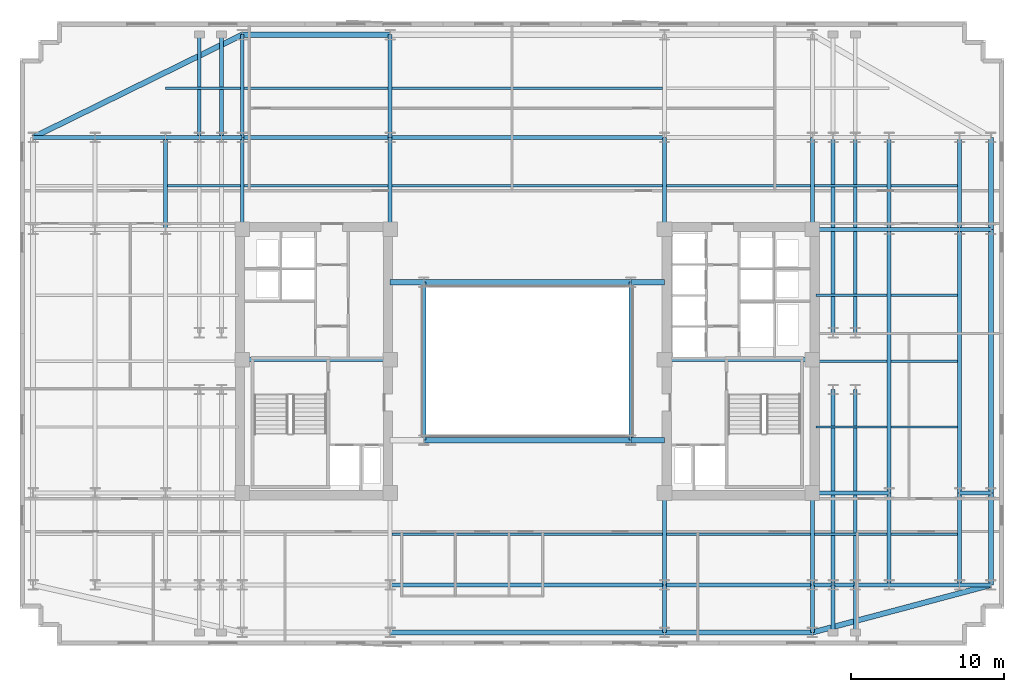
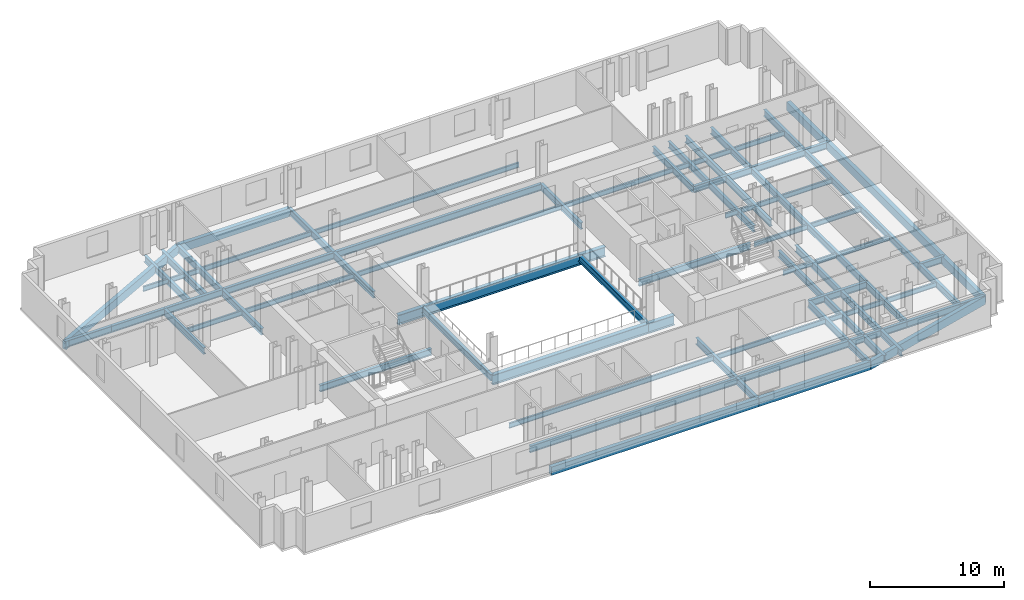
# One storey, part 2 of 10: 76 beams.
"""IFC4 building model written with IfcOpenShell, lengths in metres."""

from ifc_helpers import new_model, si_unit, direction, frame, origin, origin_2d, place, context, subcontext, project, spatial, rectangle, i_section, extrude, material, material_profile, profile_set, type_object, element, save


model = new_model("IFC4")

# Units and contexts
model_context = context("Model", 3, precision=1e-05, world=origin(), true_north=direction((0.0, 1.0)))
body_context = subcontext(model_context, "Body", "Model", "MODEL_VIEW")
ifc_project = project(units=[si_unit("LENGTHUNIT", "METRE"), si_unit("AREAUNIT", "SQUARE_METRE"), si_unit("VOLUMEUNIT", "CUBIC_METRE"), si_unit("PLANEANGLEUNIT", "RADIAN"), si_unit("MASSUNIT", "GRAM", prefix="KILO")], contexts=[model_context])

# Site, building, storey
site_placement = place(None, origin())
site = spatial("IfcSite", under=ifc_project, at=site_placement, CompositionType="ELEMENT")
building_placement = place(site_placement, origin())
building = spatial("IfcBuilding", under=site, at=building_placement, Name="Velakula Bourse", CompositionType="ELEMENT")
storey_placement = place(building_placement, frame((0.0, 0.0, 145.0)))
storey = spatial("IfcBuildingStorey", under=building, at=storey_placement, Name="L39", CompositionType="ELEMENT", Elevation=145.0)

# Beams
ifc_material_1 = material(Name="Steel IS 2062 Grade 350 (E350)", Category="steel")
ifc_material_profile_1 = material_profile(ifc_material_1, i_section(OverallWidth=0.25, OverallDepth=0.60009765625, WebThickness=0.01123046875, FlangeThickness=0.021240234375, at=origin_2d()), Name="Steel IS 2062 Grade 350 (E350)")
ifc_profile_set_1 = profile_set([ifc_material_profile_1], Name="Steel IS 2062 Grade 350 (E350)")
beam_type_1 = type_object("IfcBeamType", Name="BM-GRD-600M", PredefinedType="BEAM", material=ifc_profile_set_1)
for number, where, z_axis, x_axis, name in (
    (1, (-18.60009765625, 0.10009765625, -0.47998046875), (1.0, 0.0, 0.0), (0.0, 1.0, 0.0), "L39 Primary Backbone Girder CRW-M"),
    (2, (8.949951171875, 0.10009765625, -0.47998046875), (1.0, 0.0, 0.0), (0.0, 1.0, 0.0), "L39 Primary Backbone Girder CRE-M"),
):
    element("IfcBeam", number, at=place(storey_placement, frame(where, z_axis=z_axis, x_axis=x_axis)), inside=storey, type_object=beam_type_1, Name=name, PredefinedType="BEAM", context=body_context, shape_type="SweptSolid", body=[
        extrude(i_section(OverallWidth=0.25, OverallDepth=0.60009765625, WebThickness=0.01123046875, FlangeThickness=0.021240234375, at=origin_2d()), origin(), (0.0, 0.0, 1.0), 9.650146484375),
    ])
for number, where, z_axis, x_axis, name in (
    (3, (-6.75, -5.14990234375, -0.47998046875), (0.0, 1.0, 0.0), (-1.0, 0.0, 0.0), "L39 Primary Backbone Girder SPN-W"),
    (4, (6.75, -5.14990234375, -0.47998046875), (0.0, 1.0, 0.0), (-1.0, 0.0, 0.0), "L39 Primary Backbone Girder SPN-E"),
):
    element("IfcBeam", number, at=place(storey_placement, frame(where, z_axis=z_axis, x_axis=x_axis)), inside=storey, type_object=beam_type_1, Name=name, PredefinedType="BEAM", context=body_context, shape_type="SweptSolid", body=[
        extrude(i_section(OverallWidth=0.25, OverallDepth=0.60009765625, WebThickness=0.01123046875, FlangeThickness=0.021240234375, at=origin_2d()), origin(), (0.0, 0.0, 1.0), 10.2998046875),
    ])
for number, where, z_axis, x_axis, name in (
    (5, (-18.60009765625, 8.60009765625, -0.47998046875), (0.0, 1.0, 0.0), (-1.0, 0.0, 0.0), "L39 Fulcrum Grid Girder FLC-WN"),
    (6, (-8.949951171875, 8.60009765625, -0.47998046875), (0.0, 1.0, 0.0), (-1.0, 0.0, 0.0), "L39 Fulcrum Grid Girder FLC-WCN"),
    (7, (8.949951171875, -14.60009765625, -0.47998046875), (0.0, 1.0, 0.0), (-1.0, 0.0, 0.0), "L39 Fulcrum Grid Girder FLC-ECS"),
    (8, (8.949951171875, 8.60009765625, -0.47998046875), (0.0, 1.0, 0.0), (-1.0, 0.0, 0.0), "L39 Fulcrum Grid Girder FLC-ECN"),
    (9, (18.60009765625, -14.60009765625, -0.47998046875), (0.0, 1.0, 0.0), (-1.0, 0.0, 0.0), "L39 Fulcrum Grid Girder FLC-ES"),
    (10, (18.60009765625, 8.60009765625, -0.47998046875), (0.0, 1.0, 0.0), (-1.0, 0.0, 0.0), "L39 Fulcrum Grid Girder FLC-EN"),
):
    element("IfcBeam", number, at=place(storey_placement, frame(where, z_axis=z_axis, x_axis=x_axis)), inside=storey, type_object=beam_type_1, Name=name, PredefinedType="BEAM", context=body_context, shape_type="SweptSolid", body=[
        extrude(i_section(OverallWidth=0.25, OverallDepth=0.60009765625, WebThickness=0.01123046875, FlangeThickness=0.021240234375, at=origin_2d()), origin(), (0.0, 0.0, 1.0), 6.0),
    ])
beam_1_placement = place(storey_placement, frame((-8.949951171875, -14.60009765625, -0.47998046875), z_axis=(1.0, 0.0, 0.0), x_axis=(0.0, 1.0, 0.0)))
element("IfcBeam", 11, at=beam_1_placement, inside=storey, type_object=beam_type_1, Name="L39 Fulcrum Grid Girder FLC-S2", PredefinedType="BEAM", context=body_context, shape_type="SweptSolid", body=[
    extrude(i_section(OverallWidth=0.25, OverallDepth=0.60009765625, WebThickness=0.01123046875, FlangeThickness=0.021240234375, at=origin_2d()), origin(), (0.0, 0.0, 1.0), 17.89990234375),
])
for number, where, z_axis, x_axis, name in (
    (12, (8.949951171875, -14.60009765625, -0.47998046875), (1.0, 0.0, 0.0), (0.0, 1.0, 0.0), "L39 Fulcrum Grid Girder FLC-S3"),
    (13, (-18.60009765625, 14.60009765625, -0.47998046875), (1.0, 0.0, 0.0), (0.0, 1.0, 0.0), "L39 Fulcrum Grid Girder FLC-N1"),
):
    element("IfcBeam", number, at=place(storey_placement, frame(where, z_axis=z_axis, x_axis=x_axis)), inside=storey, type_object=beam_type_1, Name=name, PredefinedType="BEAM", context=body_context, shape_type="SweptSolid", body=[
        extrude(i_section(OverallWidth=0.25, OverallDepth=0.60009765625, WebThickness=0.01123046875, FlangeThickness=0.021240234375, at=origin_2d()), origin(), (0.0, 0.0, 1.0), 9.650146484375),
    ])
beam_2_placement = place(storey_placement, frame((-8.949951171875, 14.60009765625, -0.47998046875), z_axis=(1.0, 0.0, 0.0), x_axis=(0.0, 1.0, 0.0)))
element("IfcBeam", 14, at=beam_2_placement, inside=storey, type_object=beam_type_1, Name="L39 Fulcrum Grid Girder FLC-N2", PredefinedType="BEAM", context=body_context, shape_type="SweptSolid", body=[
    extrude(i_section(OverallWidth=0.25, OverallDepth=0.60009765625, WebThickness=0.01123046875, FlangeThickness=0.021240234375, at=origin_2d()), origin(), (0.0, 0.0, 1.0), 17.89990234375),
])
for number, where, z_axis, x_axis, name in (
    (15, (19.949951171875, -14.60009765625, -0.47998046875), (0.0, 1.0, 0.0), (-1.0, 0.0, 0.0), "L39 Fulcrum Grid Girder FLC-PSE1"),
    (16, (19.949951171875, 1.85009765625, -0.47998046875), (0.0, 1.0, 0.0), (-1.0, 0.0, 0.0), "L39 Fulcrum Grid Girder FLC-PNE1"),
    (17, (21.39990234375, -14.60009765625, -0.47998046875), (0.0, 1.0, 0.0), (-1.0, 0.0, 0.0), "L39 Fulcrum Grid Girder FLC-PSE2"),
    (18, (21.39990234375, 1.85009765625, -0.47998046875), (0.0, 1.0, 0.0), (-1.0, 0.0, 0.0), "L39 Fulcrum Grid Girder FLC-PNE2"),
):
    element("IfcBeam", number, at=place(storey_placement, frame(where, z_axis=z_axis, x_axis=x_axis)), inside=storey, type_object=beam_type_1, Name=name, PredefinedType="BEAM", context=body_context, shape_type="SweptSolid", body=[
        extrude(i_section(OverallWidth=0.25, OverallDepth=0.60009765625, WebThickness=0.01123046875, FlangeThickness=0.021240234375, at=origin_2d()), origin(), (0.0, 0.0, 1.0), 12.75),
    ])
beam_3_placement = place(storey_placement, frame((-23.60009765625, 14.60009765625, -0.47998046875), z_axis=(1.0, 0.0, 0.0), x_axis=(0.0, 1.0, 0.0)))
element("IfcBeam", 19, at=beam_3_placement, inside=storey, type_object=beam_type_1, Name="L39 Fulcrum Grid Girder MWG-WN2", PredefinedType="BEAM", context=body_context, shape_type="SweptSolid", body=[
    extrude(i_section(OverallWidth=0.25, OverallDepth=0.60009765625, WebThickness=0.01123046875, FlangeThickness=0.021240234375, at=origin_2d()), origin(), (0.0, 0.0, 1.0), 5.0),
])
beam_4_placement = place(storey_placement, frame((-23.60009765625, 8.60009765625, -0.47998046875), z_axis=(0.0, 1.0, 0.0), x_axis=(-1.0, 0.0, 0.0)))
element("IfcBeam", 20, at=beam_4_placement, inside=storey, type_object=beam_type_1, Name="L39 Fulcrum Grid Girder MWG-WNS3", PredefinedType="BEAM", context=body_context, shape_type="SweptSolid", body=[
    extrude(i_section(OverallWidth=0.25, OverallDepth=0.60009765625, WebThickness=0.01123046875, FlangeThickness=0.021240234375, at=origin_2d()), origin(), (0.0, 0.0, 1.0), 6.0),
])
for number, where, z_axis, x_axis, name in (
    (21, (18.60009765625, -14.60009765625, -0.47998046875), (1.0, 0.0, 0.0), (0.0, 1.0, 0.0), "L39 Fulcrum Grid Girder MWG-ES1"),
    (22, (18.60009765625, -8.60009765625, -0.47998046875), (1.0, 0.0, 0.0), (0.0, 1.0, 0.0), "L39 Fulcrum Grid Girder MWG-ES2"),
    (23, (18.60009765625, 8.60009765625, -0.47998046875), (1.0, 0.0, 0.0), (0.0, 1.0, 0.0), "L39 Fulcrum Grid Girder MWG-EN1"),
):
    element("IfcBeam", number, at=place(storey_placement, frame(where, z_axis=z_axis, x_axis=x_axis)), inside=storey, type_object=beam_type_1, Name=name, PredefinedType="BEAM", context=body_context, shape_type="SweptSolid", body=[
        extrude(i_section(OverallWidth=0.25, OverallDepth=0.60009765625, WebThickness=0.01123046875, FlangeThickness=0.021240234375, at=origin_2d()), origin(), (0.0, 0.0, 1.0), 5.0),
    ])
beam_5_placement = place(storey_placement, frame((23.60009765625, -14.60009765625, -0.47998046875), z_axis=(0.0, 1.0, 0.0), x_axis=(-1.0, 0.0, 0.0)))
element("IfcBeam", 24, at=beam_5_placement, inside=storey, type_object=beam_type_1, Name="L39 Fulcrum Grid Girder MWG-ENS1", PredefinedType="BEAM", context=body_context, shape_type="SweptSolid", body=[
    extrude(i_section(OverallWidth=0.25, OverallDepth=0.60009765625, WebThickness=0.01123046875, FlangeThickness=0.021240234375, at=origin_2d()), origin(), (0.0, 0.0, 1.0), 6.0),
])
beam_6_placement = place(storey_placement, frame((23.60009765625, -8.60009765625, -0.47998046875), z_axis=(0.0, 1.0, 0.0), x_axis=(-1.0, 0.0, 0.0)))
element("IfcBeam", 25, at=beam_6_placement, inside=storey, type_object=beam_type_1, Name="L39 Fulcrum Grid Girder MWG-ENS2", PredefinedType="BEAM", context=body_context, shape_type="SweptSolid", body=[
    extrude(i_section(OverallWidth=0.25, OverallDepth=0.60009765625, WebThickness=0.01123046875, FlangeThickness=0.021240234375, at=origin_2d()), origin(), (0.0, 0.0, 1.0), 17.2001953125),
])
beam_7_placement = place(storey_placement, frame((23.60009765625, 8.60009765625, -0.47998046875), z_axis=(0.0, 1.0, 0.0), x_axis=(-1.0, 0.0, 0.0)))
element("IfcBeam", 26, at=beam_7_placement, inside=storey, type_object=beam_type_1, Name="L39 Fulcrum Grid Girder MWG-ENS3", PredefinedType="BEAM", context=body_context, shape_type="SweptSolid", body=[
    extrude(i_section(OverallWidth=0.25, OverallDepth=0.60009765625, WebThickness=0.01123046875, FlangeThickness=0.021240234375, at=origin_2d()), origin(), (0.0, 0.0, 1.0), 6.0),
])
for number, where, z_axis, x_axis, name in (
    (27, (-28.199951171875, 14.60009765625, -0.47998046875), (1.0, 0.0, 0.0), (0.0, 1.0, 0.0), "L39 Fulcrum Grid Girder WNG-WN2"),
    (28, (23.60009765625, -14.60009765625, -0.47998046875), (1.0, 0.0, 0.0), (0.0, 1.0, 0.0), "L39 Fulcrum Grid Girder WNG-ES1"),
    (29, (23.60009765625, 8.60009765625, -0.47998046875), (1.0, 0.0, 0.0), (0.0, 1.0, 0.0), "L39 Fulcrum Grid Girder WNG-EN1"),
):
    element("IfcBeam", number, at=place(storey_placement, frame(where, z_axis=z_axis, x_axis=x_axis)), inside=storey, type_object=beam_type_1, Name=name, PredefinedType="BEAM", context=body_context, shape_type="SweptSolid", body=[
        extrude(i_section(OverallWidth=0.25, OverallDepth=0.60009765625, WebThickness=0.01123046875, FlangeThickness=0.021240234375, at=origin_2d()), origin(), (0.0, 0.0, 1.0), 4.599853515625),
    ])
beam_8_placement = place(storey_placement, frame((28.199951171875, -14.60009765625, -0.47998046875), z_axis=(0.0, 1.0, 0.0), x_axis=(-1.0, 0.0, 0.0)))
element("IfcBeam", 30, at=beam_8_placement, inside=storey, type_object=beam_type_1, Name="L39 Fulcrum Grid Girder WNG-ENS1", PredefinedType="BEAM", context=body_context, shape_type="SweptSolid", body=[
    extrude(i_section(OverallWidth=0.25, OverallDepth=0.60009765625, WebThickness=0.01123046875, FlangeThickness=0.021240234375, at=origin_2d()), origin(), (0.0, 0.0, 1.0), 6.0),
])
beam_9_placement = place(storey_placement, frame((28.199951171875, -8.60009765625, -0.47998046875), z_axis=(0.0, 1.0, 0.0), x_axis=(-1.0, 0.0, 0.0)))
element("IfcBeam", 31, at=beam_9_placement, inside=storey, type_object=beam_type_1, Name="L39 Fulcrum Grid Girder WNG-ENS2", PredefinedType="BEAM", context=body_context, shape_type="SweptSolid", body=[
    extrude(i_section(OverallWidth=0.25, OverallDepth=0.60009765625, WebThickness=0.01123046875, FlangeThickness=0.021240234375, at=origin_2d()), origin(), (0.0, 0.0, 1.0), 17.2001953125),
])
beam_10_placement = place(storey_placement, frame((28.199951171875, 8.60009765625, -0.47998046875), z_axis=(0.0, 1.0, 0.0), x_axis=(-1.0, 0.0, 0.0)))
element("IfcBeam", 32, at=beam_10_placement, inside=storey, type_object=beam_type_1, Name="L39 Fulcrum Grid Girder WNG-ENS3", PredefinedType="BEAM", context=body_context, shape_type="SweptSolid", body=[
    extrude(i_section(OverallWidth=0.25, OverallDepth=0.60009765625, WebThickness=0.01123046875, FlangeThickness=0.021240234375, at=origin_2d()), origin(), (0.0, 0.0, 1.0), 6.0),
])
for number, where, z_axis, x_axis, name in (
    (33, (8.949951171875, -14.60009765625, -0.47998046875), (0.0, -1.0, 0.0), (1.0, 0.0, 0.0), "L39 Perimeter Tie Girder S3"),
    (34, (18.60009765625, -14.60009765625, -0.47998046875), (0.0, -1.0, 0.0), (1.0, 0.0, 0.0), "L39 Perimeter Tie Girder S4"),
):
    element("IfcBeam", number, at=place(storey_placement, frame(where, z_axis=z_axis, x_axis=x_axis)), inside=storey, type_object=beam_type_1, Name=name, PredefinedType="BEAM", context=body_context, shape_type="SweptSolid", body=[
        extrude(i_section(OverallWidth=0.25, OverallDepth=0.60009765625, WebThickness=0.01123046875, FlangeThickness=0.021240234375, at=origin_2d()), origin(), (0.0, 0.0, 1.0), 3.099853515625),
    ])
for number, where, z_axis, x_axis, name in (
    (35, (-18.60009765625, 14.60009765625, -0.47998046875), (0.0, 1.0, 0.0), (-1.0, 0.0, 0.0), "L39 Perimeter Tie Girder N1"),
    (36, (-8.949951171875, 14.60009765625, -0.47998046875), (0.0, 1.0, 0.0), (-1.0, 0.0, 0.0), "L39 Perimeter Tie Girder N2"),
):
    element("IfcBeam", number, at=place(storey_placement, frame(where, z_axis=z_axis, x_axis=x_axis)), inside=storey, type_object=beam_type_1, Name=name, PredefinedType="BEAM", context=body_context, shape_type="SweptSolid", body=[
        extrude(i_section(OverallWidth=0.25, OverallDepth=0.60009765625, WebThickness=0.01123046875, FlangeThickness=0.021240234375, at=origin_2d()), origin(), (0.0, 0.0, 1.0), 6.699951171875),
    ])
beam_11_placement = place(storey_placement, frame((-28.199951171875, 14.60009765625, -0.47998046875), z_axis=(-1.0, 0.0, 0.0), x_axis=(0.0, -1.0, 0.0)))
element("IfcBeam", 37, at=beam_11_placement, inside=storey, type_object=beam_type_1, Name="L39 Perimeter Tie Girder W4", PredefinedType="BEAM", context=body_context, shape_type="SweptSolid", body=[
    extrude(i_section(OverallWidth=0.25, OverallDepth=0.60009765625, WebThickness=0.01123046875, FlangeThickness=0.021240234375, at=origin_2d()), origin(), (0.0, 0.0, 1.0), 4.050048828125),
])
for number, where, z_axis, x_axis, name in (
    (38, (28.199951171875, -14.60009765625, -0.47998046875), (1.0, 0.0, 0.0), (0.0, 1.0, 0.0), "L39 Perimeter Tie Girder E1"),
    (39, (28.199951171875, -8.60009765625, -0.47998046875), (1.0, 0.0, 0.0), (0.0, 1.0, 0.0), "L39 Perimeter Tie Girder E2"),
    (40, (28.199951171875, 8.60009765625, -0.47998046875), (1.0, 0.0, 0.0), (0.0, 1.0, 0.0), "L39 Perimeter Tie Girder E3"),
):
    element("IfcBeam", number, at=place(storey_placement, frame(where, z_axis=z_axis, x_axis=x_axis)), inside=storey, type_object=beam_type_1, Name=name, PredefinedType="BEAM", context=body_context, shape_type="SweptSolid", body=[
        extrude(i_section(OverallWidth=0.25, OverallDepth=0.60009765625, WebThickness=0.01123046875, FlangeThickness=0.021240234375, at=origin_2d()), origin(), (0.0, 0.0, 1.0), 2.050048828125),
    ])
for number, where, z_axis, x_axis, name in (
    (41, (19.949951171875, -14.60009765625, -0.47998046875), (0.0, -1.0, 0.0), (1.0, 0.0, 0.0), "L39 Perimeter Tie Girder P03"),
    (42, (21.39990234375, -14.60009765625, -0.47998046875), (0.0, -1.0, 0.0), (1.0, 0.0, 0.0), "L39 Perimeter Tie Girder P04"),
):
    element("IfcBeam", number, at=place(storey_placement, frame(where, z_axis=z_axis, x_axis=x_axis)), inside=storey, type_object=beam_type_1, Name=name, PredefinedType="BEAM", context=body_context, shape_type="SweptSolid", body=[
        extrude(i_section(OverallWidth=0.25, OverallDepth=0.60009765625, WebThickness=0.01123046875, FlangeThickness=0.021240234375, at=origin_2d()), origin(), (0.0, 0.0, 1.0), 3.099853515625),
    ])
for number, where, z_axis, x_axis, name in (
    (43, (-21.39990234375, 14.60009765625, -0.47998046875), (0.0, 1.0, 0.0), (-1.0, 0.0, 0.0), "L39 Perimeter Tie Girder P05"),
    (44, (-19.949951171875, 14.60009765625, -0.47998046875), (0.0, 1.0, 0.0), (-1.0, 0.0, 0.0), "L39 Perimeter Tie Girder P06"),
):
    element("IfcBeam", number, at=place(storey_placement, frame(where, z_axis=z_axis, x_axis=x_axis)), inside=storey, type_object=beam_type_1, Name=name, PredefinedType="BEAM", context=body_context, shape_type="SweptSolid", body=[
        extrude(i_section(OverallWidth=0.25, OverallDepth=0.60009765625, WebThickness=0.01123046875, FlangeThickness=0.021240234375, at=origin_2d()), origin(), (0.0, 0.0, 1.0), 6.699951171875),
    ])
ifc_material_profile_2 = material_profile(ifc_material_1, i_section(OverallWidth=0.35009765625, OverallDepth=0.89990234375, WebThickness=0.02001953125, FlangeThickness=0.031982421875, at=origin_2d()), Name="Steel IS 2062 Grade 350 (E350)")
ifc_profile_set_2 = profile_set([ifc_material_profile_2], Name="Steel IS 2062 Grade 350 (E350)")
beam_type_2 = type_object("IfcBeamType", Name="BM-LNK-900", PredefinedType="BEAM", material=ifc_profile_set_2)
beam_12_placement = place(storey_placement, frame((-6.75, -5.14990234375, -0.6298828125), z_axis=(1.0, 0.0, 0.0), x_axis=(0.0, 1.0, 0.0)))
element("IfcBeam", 45, at=beam_12_placement, inside=storey, type_object=beam_type_2, Name="L39 Primary Backbone Girder LNK-S2", PredefinedType="BEAM", context=body_context, shape_type="SweptSolid", body=[
    extrude(i_section(OverallWidth=0.35009765625, OverallDepth=0.89990234375, WebThickness=0.02001953125, FlangeThickness=0.031982421875, at=origin_2d()), origin(), (0.0, 0.0, 1.0), 13.5),
])
for number, where, z_axis, x_axis, name in (
    (46, (6.75, -5.14990234375, -0.6298828125), (1.0, 0.0, 0.0), (0.0, 1.0, 0.0), "L39 Primary Backbone Girder LNK-S3"),
    (47, (-8.949951171875, 5.14990234375, -0.6298828125), (1.0, 0.0, 0.0), (0.0, 1.0, 0.0), "L39 Primary Backbone Girder LNK-N1"),
):
    element("IfcBeam", number, at=place(storey_placement, frame(where, z_axis=z_axis, x_axis=x_axis)), inside=storey, type_object=beam_type_2, Name=name, PredefinedType="BEAM", context=body_context, shape_type="SweptSolid", body=[
        extrude(i_section(OverallWidth=0.35009765625, OverallDepth=0.89990234375, WebThickness=0.02001953125, FlangeThickness=0.031982421875, at=origin_2d()), origin(), (0.0, 0.0, 1.0), 2.199951171875),
    ])
beam_13_placement = place(storey_placement, frame((-6.75, 5.14990234375, -0.6298828125), z_axis=(1.0, 0.0, 0.0), x_axis=(0.0, 1.0, 0.0)))
element("IfcBeam", 48, at=beam_13_placement, inside=storey, type_object=beam_type_2, Name="L39 Primary Backbone Girder LNK-N2", PredefinedType="BEAM", context=body_context, shape_type="SweptSolid", body=[
    extrude(i_section(OverallWidth=0.35009765625, OverallDepth=0.89990234375, WebThickness=0.02001953125, FlangeThickness=0.031982421875, at=origin_2d()), origin(), (0.0, 0.0, 1.0), 13.5),
])
beam_14_placement = place(storey_placement, frame((6.75, 5.14990234375, -0.6298828125), z_axis=(1.0, 0.0, 0.0), x_axis=(0.0, 1.0, 0.0)))
element("IfcBeam", 49, at=beam_14_placement, inside=storey, type_object=beam_type_2, Name="L39 Primary Backbone Girder LNK-N3", PredefinedType="BEAM", context=body_context, shape_type="SweptSolid", body=[
    extrude(i_section(OverallWidth=0.35009765625, OverallDepth=0.89990234375, WebThickness=0.02001953125, FlangeThickness=0.031982421875, at=origin_2d()), origin(), (0.0, 0.0, 1.0), 2.199951171875),
])
ifc_material_profile_3 = material_profile(ifc_material_1, i_section(OverallWidth=0.14990234375, OverallDepth=0.449951171875, WebThickness=0.009521484375, FlangeThickness=0.017333984375, at=origin_2d()), Name="Steel IS 2062 Grade 350 (E350)")
ifc_profile_set_3 = profile_set([ifc_material_profile_3], Name="Steel IS 2062 Grade 350 (E350)")
beam_type_3 = type_object("IfcBeamType", Name="JST-TWR-450", PredefinedType="JOIST", material=ifc_profile_set_3)
beam_15_placement = place(storey_placement, frame((-8.824951171875, -11.300048828125, -0.405029296875), z_axis=(1.0, 0.0, 0.0), x_axis=(0.0, 1.0, 0.0)))
element("IfcBeam", 50, at=beam_15_placement, inside=storey, type_object=beam_type_3, Name="L39 Trading Floor Composite Joist 05", PredefinedType="JOIST", context=body_context, shape_type="SweptSolid", body=[
    extrude(i_section(OverallWidth=0.14990234375, OverallDepth=0.449951171875, WebThickness=0.009521484375, FlangeThickness=0.017333984375, at=origin_2d()), origin(), (0.0, 0.0, 1.0), 17.64990234375),
])
beam_16_placement = place(storey_placement, frame((9.074951171875, -11.300048828125, -0.405029296875), z_axis=(1.0, 0.0, 0.0), x_axis=(0.0, 1.0, 0.0)))
element("IfcBeam", 51, at=beam_16_placement, inside=storey, type_object=beam_type_3, Name="L39 Trading Floor Composite Joist 06", PredefinedType="JOIST", context=body_context, shape_type="SweptSolid", body=[
    extrude(i_section(OverallWidth=0.14990234375, OverallDepth=0.449951171875, WebThickness=0.009521484375, FlangeThickness=0.017333984375, at=origin_2d()), origin(), (0.0, 0.0, 1.0), 9.400146484375),
])
beam_17_placement = place(storey_placement, frame((18.72509765625, -11.300048828125, -0.405029296875), z_axis=(1.0, 0.0, 0.0), x_axis=(0.0, 1.0, 0.0)))
element("IfcBeam", 52, at=beam_17_placement, inside=storey, type_object=beam_type_3, Name="L39 Trading Floor Composite Joist 07", PredefinedType="JOIST", context=body_context, shape_type="SweptSolid", body=[
    extrude(i_section(OverallWidth=0.14990234375, OverallDepth=0.449951171875, WebThickness=0.009521484375, FlangeThickness=0.017333984375, at=origin_2d()), origin(), (0.0, 0.0, 1.0), 4.75),
])
beam_18_placement = place(storey_placement, frame((23.72509765625, -11.300048828125, -0.405029296875), z_axis=(1.0, 0.0, 0.0), x_axis=(0.0, 1.0, 0.0)))
element("IfcBeam", 53, at=beam_18_placement, inside=storey, type_object=beam_type_3, Name="L39 Trading Floor Composite Joist 08", PredefinedType="JOIST", context=body_context, shape_type="SweptSolid", body=[
    extrude(i_section(OverallWidth=0.14990234375, OverallDepth=0.449951171875, WebThickness=0.009521484375, FlangeThickness=0.017333984375, at=origin_2d()), origin(), (0.0, 0.0, 1.0), 4.349853515625),
])
beam_19_placement = place(storey_placement, frame((-23.47509765625, 11.449951171875, -0.405029296875), z_axis=(1.0, 0.0, 0.0), x_axis=(0.0, 1.0, 0.0)))
element("IfcBeam", 54, at=beam_19_placement, inside=storey, type_object=beam_type_3, Name="L39 Trading Floor Composite Joist 11", PredefinedType="JOIST", context=body_context, shape_type="SweptSolid", body=[
    extrude(i_section(OverallWidth=0.14990234375, OverallDepth=0.449951171875, WebThickness=0.009521484375, FlangeThickness=0.017333984375, at=origin_2d()), origin(), (0.0, 0.0, 1.0), 4.75),
])
beam_20_placement = place(storey_placement, frame((-18.47509765625, 11.449951171875, -0.405029296875), z_axis=(1.0, 0.0, 0.0), x_axis=(0.0, 1.0, 0.0)))
element("IfcBeam", 55, at=beam_20_placement, inside=storey, type_object=beam_type_3, Name="L39 Trading Floor Composite Joist 12", PredefinedType="JOIST", context=body_context, shape_type="SweptSolid", body=[
    extrude(i_section(OverallWidth=0.14990234375, OverallDepth=0.449951171875, WebThickness=0.009521484375, FlangeThickness=0.017333984375, at=origin_2d()), origin(), (0.0, 0.0, 1.0), 9.400146484375),
])
beam_21_placement = place(storey_placement, frame((-8.824951171875, 11.449951171875, -0.405029296875), z_axis=(1.0, 0.0, 0.0), x_axis=(0.0, 1.0, 0.0)))
element("IfcBeam", 56, at=beam_21_placement, inside=storey, type_object=beam_type_3, Name="L39 Trading Floor Composite Joist 13", PredefinedType="JOIST", context=body_context, shape_type="SweptSolid", body=[
    extrude(i_section(OverallWidth=0.14990234375, OverallDepth=0.449951171875, WebThickness=0.009521484375, FlangeThickness=0.017333984375, at=origin_2d()), origin(), (0.0, 0.0, 1.0), 17.64990234375),
])
beam_22_placement = place(storey_placement, frame((9.074951171875, 11.449951171875, -0.405029296875), z_axis=(1.0, 0.0, 0.0), x_axis=(0.0, 1.0, 0.0)))
element("IfcBeam", 57, at=beam_22_placement, inside=storey, type_object=beam_type_3, Name="L39 Trading Floor Composite Joist 14", PredefinedType="JOIST", context=body_context, shape_type="SweptSolid", body=[
    extrude(i_section(OverallWidth=0.14990234375, OverallDepth=0.449951171875, WebThickness=0.009521484375, FlangeThickness=0.017333984375, at=origin_2d()), origin(), (0.0, 0.0, 1.0), 9.400146484375),
])
beam_23_placement = place(storey_placement, frame((18.72509765625, 11.449951171875, -0.405029296875), z_axis=(1.0, 0.0, 0.0), x_axis=(0.0, 1.0, 0.0)))
element("IfcBeam", 58, at=beam_23_placement, inside=storey, type_object=beam_type_3, Name="L39 Trading Floor Composite Joist 15", PredefinedType="JOIST", context=body_context, shape_type="SweptSolid", body=[
    extrude(i_section(OverallWidth=0.14990234375, OverallDepth=0.449951171875, WebThickness=0.009521484375, FlangeThickness=0.017333984375, at=origin_2d()), origin(), (0.0, 0.0, 1.0), 4.75),
])
beam_24_placement = place(storey_placement, frame((23.72509765625, 11.449951171875, -0.405029296875), z_axis=(1.0, 0.0, 0.0), x_axis=(0.0, 1.0, 0.0)))
element("IfcBeam", 59, at=beam_24_placement, inside=storey, type_object=beam_type_3, Name="L39 Trading Floor Composite Joist 16", PredefinedType="JOIST", context=body_context, shape_type="SweptSolid", body=[
    extrude(i_section(OverallWidth=0.14990234375, OverallDepth=0.449951171875, WebThickness=0.009521484375, FlangeThickness=0.017333984375, at=origin_2d()), origin(), (0.0, 0.0, 1.0), 4.349853515625),
])
beam_25_placement = place(storey_placement, frame((-23.60009765625, 17.800048828125, -0.405029296875), z_axis=(1.0, 0.0, 0.0), x_axis=(0.0, 1.0, 0.0)))
element("IfcBeam", 60, at=beam_25_placement, inside=storey, type_object=beam_type_3, Name="L39 Trading Floor Composite Joist 17", PredefinedType="JOIST", context=body_context, shape_type="SweptSolid", body=[
    extrude(i_section(OverallWidth=0.14990234375, OverallDepth=0.449951171875, WebThickness=0.009521484375, FlangeThickness=0.017333984375, at=origin_2d()), origin(), (0.0, 0.0, 1.0), 4.875),
])
beam_26_placement = place(storey_placement, frame((-18.47509765625, 17.800048828125, -0.405029296875), z_axis=(1.0, 0.0, 0.0), x_axis=(0.0, 1.0, 0.0)))
element("IfcBeam", 61, at=beam_26_placement, inside=storey, type_object=beam_type_3, Name="L39 Trading Floor Composite Joist 18", PredefinedType="JOIST", context=body_context, shape_type="SweptSolid", body=[
    extrude(i_section(OverallWidth=0.14990234375, OverallDepth=0.449951171875, WebThickness=0.009521484375, FlangeThickness=0.017333984375, at=origin_2d()), origin(), (0.0, 0.0, 1.0), 9.400146484375),
])
beam_27_placement = place(storey_placement, frame((-8.824951171875, 17.800048828125, -0.405029296875), z_axis=(1.0, 0.0, 0.0), x_axis=(0.0, 1.0, 0.0)))
element("IfcBeam", 62, at=beam_27_placement, inside=storey, type_object=beam_type_3, Name="L39 Trading Floor Composite Joist 19", PredefinedType="JOIST", context=body_context, shape_type="SweptSolid", body=[
    extrude(i_section(OverallWidth=0.14990234375, OverallDepth=0.449951171875, WebThickness=0.009521484375, FlangeThickness=0.017333984375, at=origin_2d()), origin(), (0.0, 0.0, 1.0), 17.64990234375),
])
beam_28_placement = place(storey_placement, frame((18.85009765625, -4.300048828125, -0.405029296875), z_axis=(1.0, 0.0, 0.0), x_axis=(0.0, 1.0, 0.0)))
element("IfcBeam", 63, at=beam_28_placement, inside=storey, type_object=beam_type_3, Name="L39 Trading Floor Composite Joist 28", PredefinedType="JOIST", context=body_context, shape_type="SweptSolid", body=[
    extrude(i_section(OverallWidth=0.14990234375, OverallDepth=0.449951171875, WebThickness=0.009521484375, FlangeThickness=0.017333984375, at=origin_2d()), origin(), (0.0, 0.0, 1.0), 4.625),
])
beam_29_placement = place(storey_placement, frame((23.72509765625, -4.300048828125, -0.405029296875), z_axis=(1.0, 0.0, 0.0), x_axis=(0.0, 1.0, 0.0)))
element("IfcBeam", 64, at=beam_29_placement, inside=storey, type_object=beam_type_3, Name="L39 Trading Floor Composite Joist 29", PredefinedType="JOIST", context=body_context, shape_type="SweptSolid", body=[
    extrude(i_section(OverallWidth=0.14990234375, OverallDepth=0.449951171875, WebThickness=0.009521484375, FlangeThickness=0.017333984375, at=origin_2d()), origin(), (0.0, 0.0, 1.0), 4.349853515625),
])
beam_30_placement = place(storey_placement, frame((18.85009765625, 0.0, -0.405029296875), z_axis=(1.0, 0.0, 0.0), x_axis=(0.0, 1.0, 0.0)))
element("IfcBeam", 65, at=beam_30_placement, inside=storey, type_object=beam_type_3, Name="L39 Trading Floor Composite Joist 33", PredefinedType="JOIST", context=body_context, shape_type="SweptSolid", body=[
    extrude(i_section(OverallWidth=0.14990234375, OverallDepth=0.449951171875, WebThickness=0.009521484375, FlangeThickness=0.017333984375, at=origin_2d()), origin(), (0.0, 0.0, 1.0), 4.625),
])
beam_31_placement = place(storey_placement, frame((23.72509765625, 0.0, -0.405029296875), z_axis=(1.0, 0.0, 0.0), x_axis=(0.0, 1.0, 0.0)))
element("IfcBeam", 66, at=beam_31_placement, inside=storey, type_object=beam_type_3, Name="L39 Trading Floor Composite Joist 34", PredefinedType="JOIST", context=body_context, shape_type="SweptSolid", body=[
    extrude(i_section(OverallWidth=0.14990234375, OverallDepth=0.449951171875, WebThickness=0.009521484375, FlangeThickness=0.017333984375, at=origin_2d()), origin(), (0.0, 0.0, 1.0), 4.349853515625),
])
beam_32_placement = place(storey_placement, frame((18.85009765625, 4.300048828125, -0.405029296875), z_axis=(1.0, 0.0, 0.0), x_axis=(0.0, 1.0, 0.0)))
element("IfcBeam", 67, at=beam_32_placement, inside=storey, type_object=beam_type_3, Name="L39 Trading Floor Composite Joist 38", PredefinedType="JOIST", context=body_context, shape_type="SweptSolid", body=[
    extrude(i_section(OverallWidth=0.14990234375, OverallDepth=0.449951171875, WebThickness=0.009521484375, FlangeThickness=0.017333984375, at=origin_2d()), origin(), (0.0, 0.0, 1.0), 4.625),
])
beam_33_placement = place(storey_placement, frame((23.72509765625, 4.300048828125, -0.405029296875), z_axis=(1.0, 0.0, 0.0), x_axis=(0.0, 1.0, 0.0)))
element("IfcBeam", 68, at=beam_33_placement, inside=storey, type_object=beam_type_3, Name="L39 Trading Floor Composite Joist 39", PredefinedType="JOIST", context=body_context, shape_type="SweptSolid", body=[
    extrude(i_section(OverallWidth=0.14990234375, OverallDepth=0.449951171875, WebThickness=0.009521484375, FlangeThickness=0.017333984375, at=origin_2d()), origin(), (0.0, 0.0, 1.0), 4.349853515625),
])
ifc_material_2 = material(Name="Precast concrete M45 (fck 45 MPa)", Category="concrete")
ifc_material_profile_4 = material_profile(ifc_material_2, rectangle(XDim=0.35009765625, YDim=0.75, at=origin_2d()), Name="Precast concrete M45 (fck 45 MPa)")
ifc_profile_set_4 = profile_set([ifc_material_profile_4], Name="Precast concrete M45 (fck 45 MPa)")
beam_type_4 = type_object("IfcBeamType", Name="SPN-BRICK-750", PredefinedType="SPANDREL", material=ifc_profile_set_4)
beam_34_placement = place(storey_placement, frame((-8.949951171875, -17.699951171875, -0.554931640625), z_axis=(1.0, 0.0, 0.0), x_axis=(0.0, 1.0, 0.0)))
element("IfcBeam", 69, at=beam_34_placement, inside=storey, type_object=beam_type_4, Name="L39 Brick-Faced Precast Spandrel S2-S3", PredefinedType="SPANDREL", context=body_context, shape_type="SweptSolid", body=[
    extrude(rectangle(XDim=0.35009765625, YDim=0.75, at=origin_2d()), origin(), (0.0, 0.0, 1.0), 17.89990234375),
])
for number, where, z_axis, x_axis, name in (
    (70, (8.949951171875, -17.699951171875, -0.554931640625), (1.0, 0.0, 0.0), (0.0, 1.0, 0.0), "L39 Brick-Faced Precast Spandrel S3-S4"),
    (71, (-18.60009765625, 21.300048828125, -0.554931640625), (1.0, 0.0, 0.0), (0.0, 1.0, 0.0), "L39 Brick-Faced Precast Spandrel N1-N2"),
):
    element("IfcBeam", number, at=place(storey_placement, frame(where, z_axis=z_axis, x_axis=x_axis)), inside=storey, type_object=beam_type_4, Name=name, PredefinedType="SPANDREL", context=body_context, shape_type="SweptSolid", body=[
        extrude(rectangle(XDim=0.35009765625, YDim=0.75, at=origin_2d()), origin(), (0.0, 0.0, 1.0), 9.650146484375),
    ])
beam_35_placement = place(storey_placement, frame((30.25, -14.60009765625, -0.554931640625), z_axis=(0.0, 1.0, 0.0), x_axis=(-1.0, 0.0, 0.0)))
element("IfcBeam", 72, at=beam_35_placement, inside=storey, type_object=beam_type_4, Name="L39 Brick-Faced Precast Spandrel E1-E2", PredefinedType="SPANDREL", context=body_context, shape_type="SweptSolid", body=[
    extrude(rectangle(XDim=0.35009765625, YDim=0.75, at=origin_2d()), origin(), (0.0, 0.0, 1.0), 6.0),
])
beam_36_placement = place(storey_placement, frame((30.25, -8.60009765625, -0.554931640625), z_axis=(0.0, 1.0, 0.0), x_axis=(-1.0, 0.0, 0.0)))
element("IfcBeam", 73, at=beam_36_placement, inside=storey, type_object=beam_type_4, Name="L39 Brick-Faced Precast Spandrel E2-E3", PredefinedType="SPANDREL", context=body_context, shape_type="SweptSolid", body=[
    extrude(rectangle(XDim=0.35009765625, YDim=0.75, at=origin_2d()), origin(), (0.0, 0.0, 1.0), 17.2001953125),
])
beam_37_placement = place(storey_placement, frame((30.25, 8.60009765625, -0.554931640625), z_axis=(0.0, 1.0, 0.0), x_axis=(-1.0, 0.0, 0.0)))
element("IfcBeam", 74, at=beam_37_placement, inside=storey, type_object=beam_type_4, Name="L39 Brick-Faced Precast Spandrel E3-E4", PredefinedType="SPANDREL", context=body_context, shape_type="SweptSolid", body=[
    extrude(rectangle(XDim=0.35009765625, YDim=0.75, at=origin_2d()), origin(), (0.0, 0.0, 1.0), 6.0),
])
beam_38_placement = place(storey_placement, frame((18.60009765625, -17.699951171875, -0.554931640625), z_axis=(0.966374962557, 0.257136990226, 0.0), x_axis=(-0.257136990226, 0.966374962557, 0.0)))
element("IfcBeam", 75, at=beam_38_placement, inside=storey, type_object=beam_type_4, Name="L39 Brick-Faced Precast Spandrel S4-E1", PredefinedType="SPANDREL", context=body_context, shape_type="SweptSolid", body=[
    extrude(rectangle(XDim=0.35009765625, YDim=0.75, at=origin_2d()), origin(), (0.0, 0.0, 1.0), 12.05517578125),
])
beam_39_placement = place(storey_placement, frame((-18.60009765625, 21.300048828125, -0.554931640625), z_axis=(-0.897691282679, -0.440624966385, 0.0), x_axis=(0.440624966385, -0.897691282679, 0.0)))
element("IfcBeam", 76, at=beam_39_placement, inside=storey, type_object=beam_type_4, Name="L39 Brick-Faced Precast Spandrel N1-W4", PredefinedType="SPANDREL", context=body_context, shape_type="SweptSolid", body=[
    extrude(rectangle(XDim=0.35009765625, YDim=0.75, at=origin_2d()), origin(), (0.0, 0.0, 1.0), 15.20556640625),
])

save(model, "model.ifc")
